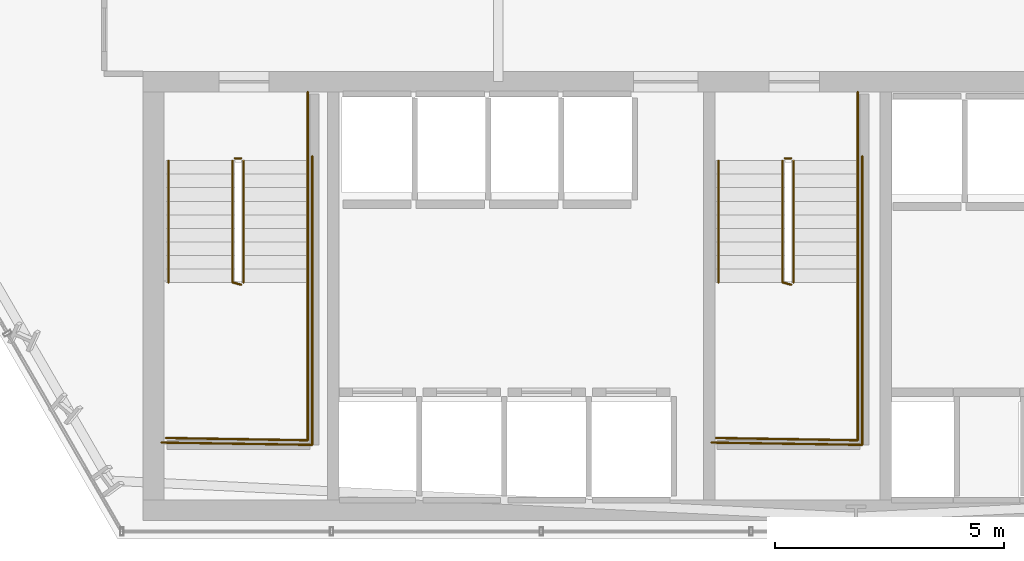
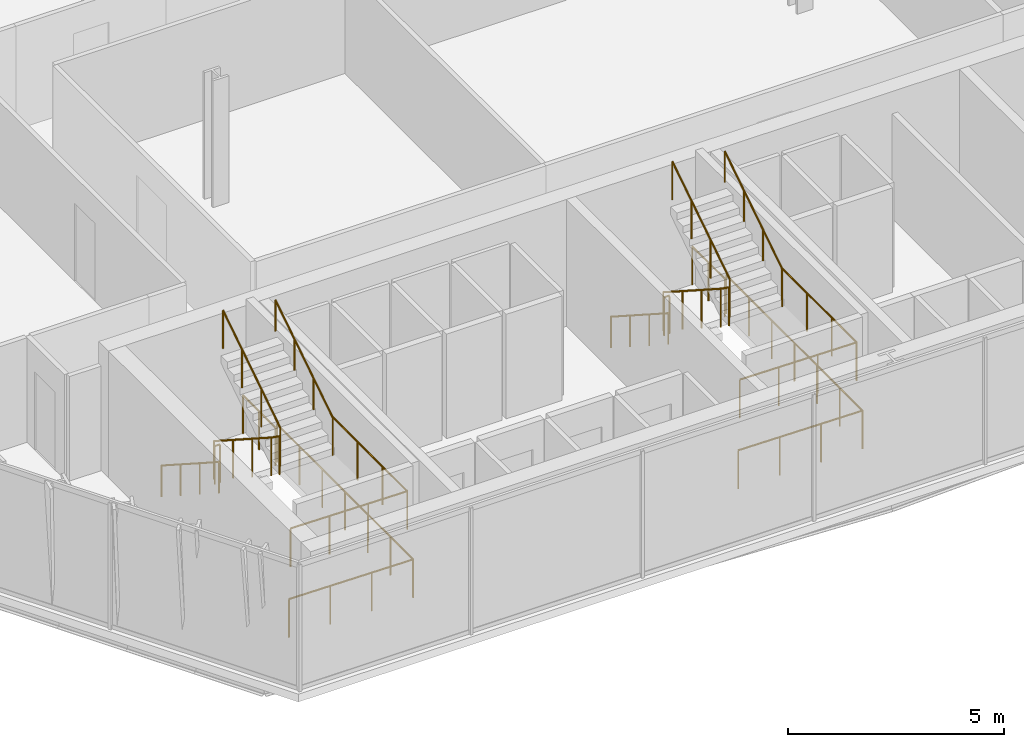
# One storey, part 30 of 32: 16 railings.
"""IFC4 building model written with IfcOpenShell, lengths in metres."""

from ifc_helpers import new_model, si_unit, direction, frame, origin, origin_2d, place, context, subcontext, project, spatial, circle, extrude, material, layer, layer_set, type_object, element, save


model = new_model("IFC4")

# Units and contexts
model_context = context("Model", 3, precision=1e-05, world=origin(), true_north=direction((0.0, 1.0)))
body_context = subcontext(model_context, "Body", "Model", "MODEL_VIEW")
ifc_project = project(units=[si_unit("LENGTHUNIT", "METRE"), si_unit("AREAUNIT", "SQUARE_METRE"), si_unit("VOLUMEUNIT", "CUBIC_METRE"), si_unit("PLANEANGLEUNIT", "RADIAN"), si_unit("MASSUNIT", "GRAM", prefix="KILO")], contexts=[model_context])

# Site, building, storey
site_placement = place(None, origin())
site = spatial("IfcSite", under=ifc_project, at=site_placement, CompositionType="ELEMENT")
building_placement = place(site_placement, origin())
building = spatial("IfcBuilding", under=site, at=building_placement, Name="Ndaravel Arena Tower", CompositionType="ELEMENT")
storey_placement = place(building_placement, frame((0.0, 0.0, 77.800048828125)))
storey = spatial("IfcBuildingStorey", under=building, at=storey_placement, Name="L17", CompositionType="ELEMENT", Elevation=77.800048828125)

# Railings
ifc_material_1 = material(Name="Steel S355", Category="steel")
ifc_layer_1 = layer(ifc_material_1, 0.06005859375)
ifc_layer_set_1 = layer_set([ifc_layer_1], Name="Steel S355")
railing_type_1 = type_object("IfcRailingType", Name="RAIL-STAIR-GD1100", PredefinedType="GUARDRAIL", material=ifc_layer_set_1)
railing_1_placement = place(storey_placement, frame((28.39990234375, 13.25, 0.18994140625)))
element("IfcRailing", 1, at=railing_1_placement, inside=storey, type_object=railing_type_1, Name="L17 ST-1 stair guard 1", PredefinedType="GUARDRAIL", context=body_context, shape_type="SweptSolid", body=[
    extrude(circle(Radius=0.02392578125, at=origin_2d()), frame((0.0, 0.0, 1.076171875), z_axis=(0.0, -0.840723540582, 0.54146461409), x_axis=(1.0, 0.0, 0.0)), (0.0, 0.0, 1.0), 3.157958984375),
    extrude(circle(Radius=0.02392578125, at=origin_2d()), frame((0.0, -2.655029296875, 2.7861328125), z_axis=(0.967074537263, -0.25449329928, 0.0), x_axis=(0.25449329928, 0.967074537263, 0.0)), (0.0, 0.0, 1.0), 0.19677734375),
    extrude(circle(Radius=0.02099609375, at=origin_2d()), origin(), (0.0, 0.0, 1.0), 1.052001953125),
    extrude(circle(Radius=0.02099609375, at=origin_2d()), frame((0.0, -0.885009765625, 0.570068359375)), (0.0, 0.0, 1.0), 1.052001953125),
    extrude(circle(Radius=0.02099609375, at=origin_2d()), frame((0.0, -1.77001953125, 1.139892578125)), (0.0, 0.0, 1.0), 1.052001953125),
    extrude(circle(Radius=0.02099609375, at=origin_2d()), frame((0.0, -2.655029296875, 1.7099609375)), (0.0, 0.0, 1.0), 1.052001953125),
    extrude(circle(Radius=0.02099609375, at=origin_2d()), frame((0.190185546875, -2.705078125, 1.7099609375)), (0.0, 0.0, 1.0), 1.052001953125),
])
railing_2_placement = place(storey_placement, frame((30.0400390625, 10.594970703125, 1.89990234375)))
element("IfcRailing", 2, at=railing_2_placement, inside=storey, type_object=railing_type_1, Name="L17 ST-1 stair guard 2", PredefinedType="GUARDRAIL", context=body_context, shape_type="SweptSolid", body=[
    extrude(circle(Radius=0.02392578125, at=origin_2d()), frame((0.0, 0.0, 1.076171875), z_axis=(0.0, -1.0, 0.0), x_axis=(1.0, 0.0, 0.0)), (0.0, 0.0, 1.0), 3.445068359375),
    extrude(circle(Radius=0.02392578125, at=origin_2d()), frame((0.0, -3.445068359375, 1.076171875), z_axis=(-0.999868861343, 0.016194447071, 0.0), x_axis=(-0.016194447071, -0.999868861343, 0.0)), (0.0, 0.0, 1.0), 3.090576171875),
    extrude(circle(Radius=0.02099609375, at=origin_2d()), origin(), (0.0, 0.0, 1.0), 1.052001953125),
    extrude(circle(Radius=0.02099609375, at=origin_2d()), frame((0.0, -1.1484375, 0.0)), (0.0, 0.0, 1.0), 1.052001953125),
    extrude(circle(Radius=0.02099609375, at=origin_2d()), frame((0.0, -2.296630859375, 0.0)), (0.0, 0.0, 1.0), 1.052001953125),
    extrude(circle(Radius=0.02099609375, at=origin_2d()), frame((0.0, -3.445068359375, 0.0)), (0.0, 0.0, 1.0), 1.052001953125),
    extrude(circle(Radius=0.02099609375, at=origin_2d()), frame((-1.030029296875, -3.428466796875, 0.0)), (0.0, 0.0, 1.0), 1.052001953125),
    extrude(circle(Radius=0.02099609375, at=origin_2d()), frame((-2.06005859375, -3.41162109375, 0.0)), (0.0, 0.0, 1.0), 1.052001953125),
    extrude(circle(Radius=0.02099609375, at=origin_2d()), frame((-3.090087890625, -3.39501953125, 0.0)), (0.0, 0.0, 1.0), 1.052001953125),
])
railing_3_placement = place(storey_placement, frame((28.639892578125, 10.594970703125, 2.08984375)))
element("IfcRailing", 3, at=railing_3_placement, inside=storey, type_object=railing_type_1, Name="L17 ST-1 stair guard 3", PredefinedType="GUARDRAIL", context=body_context, shape_type="SweptSolid", body=[
    extrude(circle(Radius=0.02392578125, at=origin_2d()), frame((0.0, 0.0, 1.076171875), z_axis=(0.0, 0.840688348013, 0.541519253134), x_axis=(-1.0, 0.0, 0.0)), (0.0, 0.0, 1.0), 3.158203125),
    extrude(circle(Radius=0.02099609375, at=origin_2d()), origin(), (0.0, 0.0, 1.0), 1.052001953125),
    extrude(circle(Radius=0.02099609375, at=origin_2d()), frame((0.0, 0.885009765625, 0.570068359375)), (0.0, 0.0, 1.0), 1.052001953125),
    extrude(circle(Radius=0.02099609375, at=origin_2d()), frame((0.0, 1.77001953125, 1.14013671875)), (0.0, 0.0, 1.0), 1.052001953125),
    extrude(circle(Radius=0.02099609375, at=origin_2d()), frame((0.0, 2.655029296875, 1.710205078125)), (0.0, 0.0, 1.0), 1.052001953125),
])
railing_4_placement = place(storey_placement, frame((28.449951171875, 13.300048828125, 0.0)))
element("IfcRailing", 4, at=railing_4_placement, inside=storey, type_object=railing_type_1, Name="L17 ST-1 stair guard 4", PredefinedType="GUARDRAIL", context=body_context, shape_type="SweptSolid", body=[
    extrude(circle(Radius=0.02392578125, at=origin_2d()), frame((0.0, 0.0, 1.076171875), z_axis=(1.0, 0.0, 0.0), x_axis=(0.0, 1.0, 0.0)), (0.0, 0.0, 1.0), 0.14013671875),
    extrude(circle(Radius=0.02099609375, at=origin_2d()), origin(), (0.0, 0.0, 1.0), 1.052001953125),
    extrude(circle(Radius=0.02099609375, at=origin_2d()), frame((0.14013671875, 0.0, 0.0)), (0.0, 0.0, 1.0), 1.052001953125),
])
railing_5_placement = place(storey_placement, frame((30.0400390625, 14.75, 0.0)))
element("IfcRailing", 5, at=railing_5_placement, inside=storey, type_object=railing_type_1, Name="L17 ST-1 stair guard 5", PredefinedType="GUARDRAIL", context=body_context, shape_type="SweptSolid", body=[
    extrude(circle(Radius=0.02392578125, at=origin_2d()), frame((0.0, 0.0, 1.076171875), z_axis=(0.0, -1.0, 0.0), x_axis=(1.0, 0.0, 0.0)), (0.0, 0.0, 1.0), 1.5),
    extrude(circle(Radius=0.02099609375, at=origin_2d()), origin(), (0.0, 0.0, 1.0), 1.052001953125),
    extrude(circle(Radius=0.02099609375, at=origin_2d()), frame((0.0, -0.75, 0.0)), (0.0, 0.0, 1.0), 1.052001953125),
    extrude(circle(Radius=0.02099609375, at=origin_2d()), frame((0.0, -1.5, 0.0)), (0.0, 0.0, 1.0), 1.052001953125),
])
railing_6_placement = place(storey_placement, frame((30.139892578125, 13.35009765625, 0.0)))
element("IfcRailing", 6, at=railing_6_placement, inside=storey, type_object=railing_type_1, Name="L17 ST-1 stair guard 6", PredefinedType="GUARDRAIL", context=body_context, shape_type="SweptSolid", body=[
    extrude(circle(Radius=0.02392578125, at=origin_2d()), frame((0.0, 0.0, 1.076171875), z_axis=(0.0, -1.0, 0.0), x_axis=(1.0, 0.0, 0.0)), (0.0, 0.0, 1.0), 6.300048828125),
    extrude(circle(Radius=0.02392578125, at=origin_2d()), frame((0.0, -6.300048828125, 1.076171875), z_axis=(-0.999884296952, 0.015211597839, 0.0), x_axis=(-0.015211597839, -0.999884296952, 0.0)), (0.0, 0.0, 1.0), 3.290283203125),
    extrude(circle(Radius=0.02099609375, at=origin_2d()), origin(), (0.0, 0.0, 1.0), 1.052001953125),
    extrude(circle(Radius=0.02099609375, at=origin_2d()), frame((0.0, -1.050048828125, 0.0)), (0.0, 0.0, 1.0), 1.052001953125),
    extrude(circle(Radius=0.02099609375, at=origin_2d()), frame((0.0, -2.10009765625, 0.0)), (0.0, 0.0, 1.0), 1.052001953125),
    extrude(circle(Radius=0.02099609375, at=origin_2d()), frame((0.0, -3.14990234375, 0.0)), (0.0, 0.0, 1.0), 1.052001953125),
    extrude(circle(Radius=0.02099609375, at=origin_2d()), frame((0.0, -4.199951171875, 0.0)), (0.0, 0.0, 1.0), 1.052001953125),
    extrude(circle(Radius=0.02099609375, at=origin_2d()), frame((0.0, -5.25, 0.0)), (0.0, 0.0, 1.0), 1.052001953125),
    extrude(circle(Radius=0.02099609375, at=origin_2d()), frame((0.0, -6.300048828125, 0.0)), (0.0, 0.0, 1.0), 1.052001953125),
    extrude(circle(Radius=0.02099609375, at=origin_2d()), frame((-1.0966796875, -6.283447265625, 0.0)), (0.0, 0.0, 1.0), 1.052001953125),
    extrude(circle(Radius=0.02099609375, at=origin_2d()), frame((-2.193115234375, -6.2666015625, 0.0)), (0.0, 0.0, 1.0), 1.052001953125),
    extrude(circle(Radius=0.02099609375, at=origin_2d()), frame((-3.289794921875, -6.25, 0.0)), (0.0, 0.0, 1.0), 1.052001953125),
])
railing_7_placement = place(storey_placement, frame((40.39990234375, 13.25, 0.18994140625)))
element("IfcRailing", 7, at=railing_7_placement, inside=storey, type_object=railing_type_1, Name="L17 ST-2 stair guard 1", PredefinedType="GUARDRAIL", context=body_context, shape_type="SweptSolid", body=[
    extrude(circle(Radius=0.02392578125, at=origin_2d()), frame((0.0, 0.0, 1.076171875), z_axis=(0.0, -0.840723540582, 0.54146461409), x_axis=(1.0, 0.0, 0.0)), (0.0, 0.0, 1.0), 3.157958984375),
    extrude(circle(Radius=0.02392578125, at=origin_2d()), frame((0.0, -2.655029296875, 2.7861328125), z_axis=(0.967074537263, -0.25449329928, 0.0), x_axis=(0.25449329928, 0.967074537263, 0.0)), (0.0, 0.0, 1.0), 0.19677734375),
    extrude(circle(Radius=0.02099609375, at=origin_2d()), origin(), (0.0, 0.0, 1.0), 1.052001953125),
    extrude(circle(Radius=0.02099609375, at=origin_2d()), frame((0.0, -0.885009765625, 0.570068359375)), (0.0, 0.0, 1.0), 1.052001953125),
    extrude(circle(Radius=0.02099609375, at=origin_2d()), frame((0.0, -1.77001953125, 1.139892578125)), (0.0, 0.0, 1.0), 1.052001953125),
    extrude(circle(Radius=0.02099609375, at=origin_2d()), frame((0.0, -2.655029296875, 1.7099609375)), (0.0, 0.0, 1.0), 1.052001953125),
    extrude(circle(Radius=0.02099609375, at=origin_2d()), frame((0.190185546875, -2.705078125, 1.7099609375)), (0.0, 0.0, 1.0), 1.052001953125),
])
railing_8_placement = place(storey_placement, frame((42.0400390625, 10.594970703125, 1.89990234375)))
element("IfcRailing", 8, at=railing_8_placement, inside=storey, type_object=railing_type_1, Name="L17 ST-2 stair guard 2", PredefinedType="GUARDRAIL", context=body_context, shape_type="SweptSolid", body=[
    extrude(circle(Radius=0.02392578125, at=origin_2d()), frame((0.0, 0.0, 1.076171875), z_axis=(0.0, -1.0, 0.0), x_axis=(1.0, 0.0, 0.0)), (0.0, 0.0, 1.0), 3.445068359375),
    extrude(circle(Radius=0.02392578125, at=origin_2d()), frame((0.0, -3.445068359375, 1.076171875), z_axis=(-0.999868861343, 0.016194447071, 0.0), x_axis=(-0.016194447071, -0.999868861343, 0.0)), (0.0, 0.0, 1.0), 3.090576171875),
    extrude(circle(Radius=0.02099609375, at=origin_2d()), origin(), (0.0, 0.0, 1.0), 1.052001953125),
    extrude(circle(Radius=0.02099609375, at=origin_2d()), frame((0.0, -1.1484375, 0.0)), (0.0, 0.0, 1.0), 1.052001953125),
    extrude(circle(Radius=0.02099609375, at=origin_2d()), frame((0.0, -2.296630859375, 0.0)), (0.0, 0.0, 1.0), 1.052001953125),
    extrude(circle(Radius=0.02099609375, at=origin_2d()), frame((0.0, -3.445068359375, 0.0)), (0.0, 0.0, 1.0), 1.052001953125),
    extrude(circle(Radius=0.02099609375, at=origin_2d()), frame((-1.030029296875, -3.428466796875, 0.0)), (0.0, 0.0, 1.0), 1.052001953125),
    extrude(circle(Radius=0.02099609375, at=origin_2d()), frame((-2.06005859375, -3.41162109375, 0.0)), (0.0, 0.0, 1.0), 1.052001953125),
    extrude(circle(Radius=0.02099609375, at=origin_2d()), frame((-3.090087890625, -3.39501953125, 0.0)), (0.0, 0.0, 1.0), 1.052001953125),
])
railing_9_placement = place(storey_placement, frame((40.639892578125, 10.594970703125, 2.08984375)))
element("IfcRailing", 9, at=railing_9_placement, inside=storey, type_object=railing_type_1, Name="L17 ST-2 stair guard 3", PredefinedType="GUARDRAIL", context=body_context, shape_type="SweptSolid", body=[
    extrude(circle(Radius=0.02392578125, at=origin_2d()), frame((0.0, 0.0, 1.076171875), z_axis=(0.0, 0.840688348013, 0.541519253134), x_axis=(-1.0, 0.0, 0.0)), (0.0, 0.0, 1.0), 3.158203125),
    extrude(circle(Radius=0.02099609375, at=origin_2d()), origin(), (0.0, 0.0, 1.0), 1.052001953125),
    extrude(circle(Radius=0.02099609375, at=origin_2d()), frame((0.0, 0.885009765625, 0.570068359375)), (0.0, 0.0, 1.0), 1.052001953125),
    extrude(circle(Radius=0.02099609375, at=origin_2d()), frame((0.0, 1.77001953125, 1.14013671875)), (0.0, 0.0, 1.0), 1.052001953125),
    extrude(circle(Radius=0.02099609375, at=origin_2d()), frame((0.0, 2.655029296875, 1.710205078125)), (0.0, 0.0, 1.0), 1.052001953125),
])
railing_10_placement = place(storey_placement, frame((40.449951171875, 13.300048828125, 0.0)))
element("IfcRailing", 10, at=railing_10_placement, inside=storey, type_object=railing_type_1, Name="L17 ST-2 stair guard 4", PredefinedType="GUARDRAIL", context=body_context, shape_type="SweptSolid", body=[
    extrude(circle(Radius=0.02392578125, at=origin_2d()), frame((0.0, 0.0, 1.076171875), z_axis=(1.0, 0.0, 0.0), x_axis=(0.0, 1.0, 0.0)), (0.0, 0.0, 1.0), 0.14013671875),
    extrude(circle(Radius=0.02099609375, at=origin_2d()), origin(), (0.0, 0.0, 1.0), 1.052001953125),
    extrude(circle(Radius=0.02099609375, at=origin_2d()), frame((0.14013671875, 0.0, 0.0)), (0.0, 0.0, 1.0), 1.052001953125),
])
railing_11_placement = place(storey_placement, frame((42.0400390625, 14.75, 0.0)))
element("IfcRailing", 11, at=railing_11_placement, inside=storey, type_object=railing_type_1, Name="L17 ST-2 stair guard 5", PredefinedType="GUARDRAIL", context=body_context, shape_type="SweptSolid", body=[
    extrude(circle(Radius=0.02392578125, at=origin_2d()), frame((0.0, 0.0, 1.076171875), z_axis=(0.0, -1.0, 0.0), x_axis=(1.0, 0.0, 0.0)), (0.0, 0.0, 1.0), 1.5),
    extrude(circle(Radius=0.02099609375, at=origin_2d()), origin(), (0.0, 0.0, 1.0), 1.052001953125),
    extrude(circle(Radius=0.02099609375, at=origin_2d()), frame((0.0, -0.75, 0.0)), (0.0, 0.0, 1.0), 1.052001953125),
    extrude(circle(Radius=0.02099609375, at=origin_2d()), frame((0.0, -1.5, 0.0)), (0.0, 0.0, 1.0), 1.052001953125),
])
railing_12_placement = place(storey_placement, frame((42.139892578125, 13.35009765625, 0.0)))
element("IfcRailing", 12, at=railing_12_placement, inside=storey, type_object=railing_type_1, Name="L17 ST-2 stair guard 6", PredefinedType="GUARDRAIL", context=body_context, shape_type="SweptSolid", body=[
    extrude(circle(Radius=0.02392578125, at=origin_2d()), frame((0.0, 0.0, 1.076171875), z_axis=(0.0, -1.0, 0.0), x_axis=(1.0, 0.0, 0.0)), (0.0, 0.0, 1.0), 6.300048828125),
    extrude(circle(Radius=0.02392578125, at=origin_2d()), frame((0.0, -6.300048828125, 1.076171875), z_axis=(-0.999884296952, 0.015211597839, 0.0), x_axis=(-0.015211597839, -0.999884296952, 0.0)), (0.0, 0.0, 1.0), 3.290283203125),
    extrude(circle(Radius=0.02099609375, at=origin_2d()), origin(), (0.0, 0.0, 1.0), 1.052001953125),
    extrude(circle(Radius=0.02099609375, at=origin_2d()), frame((0.0, -1.050048828125, 0.0)), (0.0, 0.0, 1.0), 1.052001953125),
    extrude(circle(Radius=0.02099609375, at=origin_2d()), frame((0.0, -2.10009765625, 0.0)), (0.0, 0.0, 1.0), 1.052001953125),
    extrude(circle(Radius=0.02099609375, at=origin_2d()), frame((0.0, -3.14990234375, 0.0)), (0.0, 0.0, 1.0), 1.052001953125),
    extrude(circle(Radius=0.02099609375, at=origin_2d()), frame((0.0, -4.199951171875, 0.0)), (0.0, 0.0, 1.0), 1.052001953125),
    extrude(circle(Radius=0.02099609375, at=origin_2d()), frame((0.0, -5.25, 0.0)), (0.0, 0.0, 1.0), 1.052001953125),
    extrude(circle(Radius=0.02099609375, at=origin_2d()), frame((0.0, -6.300048828125, 0.0)), (0.0, 0.0, 1.0), 1.052001953125),
    extrude(circle(Radius=0.02099609375, at=origin_2d()), frame((-1.0966796875, -6.283447265625, 0.0)), (0.0, 0.0, 1.0), 1.052001953125),
    extrude(circle(Radius=0.02099609375, at=origin_2d()), frame((-2.193115234375, -6.2666015625, 0.0)), (0.0, 0.0, 1.0), 1.052001953125),
    extrude(circle(Radius=0.02099609375, at=origin_2d()), frame((-3.289794921875, -6.25, 0.0)), (0.0, 0.0, 1.0), 1.052001953125),
])
ifc_material_2 = material(Name="Steel S355", Category="steel")
ifc_layer_2 = layer(ifc_material_2, 0.050048828125)
ifc_layer_set_2 = layer_set([ifc_layer_2], Name="Steel S355")
railing_type_2 = type_object("IfcRailingType", Name="RAIL-STAIR-HR920", PredefinedType="HANDRAIL", material=ifc_layer_set_2)
railing_13_placement = place(storey_placement, frame((27.0, 13.25, 0.18994140625)))
element("IfcRailing", 13, at=railing_13_placement, inside=storey, type_object=railing_type_2, Name="L17 ST-1 stair handrail 1", PredefinedType="HANDRAIL", context=body_context, shape_type="SweptSolid", body=[
    extrude(circle(Radius=0.02392578125, at=origin_2d()), frame((0.0, 0.0, 0.8759765625), z_axis=(0.0, -0.840723540582, 0.54146461409), x_axis=(1.0, 0.0, 0.0)), (0.0, 0.0, 1.0), 3.157958984375),
    extrude(circle(Radius=0.02099609375, at=origin_2d()), origin(), (0.0, 0.0, 1.0), 0.851806640625),
    extrude(circle(Radius=0.02099609375, at=origin_2d()), frame((0.0, -0.885009765625, 0.570068359375)), (0.0, 0.0, 1.0), 0.851806640625),
    extrude(circle(Radius=0.02099609375, at=origin_2d()), frame((0.0, -1.77001953125, 1.139892578125)), (0.0, 0.0, 1.0), 0.851806640625),
    extrude(circle(Radius=0.02099609375, at=origin_2d()), frame((0.0, -2.655029296875, 1.7099609375)), (0.0, 0.0, 1.0), 0.851806640625),
])
railing_14_placement = place(storey_placement, frame((30.0400390625, 10.594970703125, 2.08984375)))
element("IfcRailing", 14, at=railing_14_placement, inside=storey, type_object=railing_type_2, Name="L17 ST-1 stair handrail 2", PredefinedType="HANDRAIL", context=body_context, shape_type="SweptSolid", body=[
    extrude(circle(Radius=0.02392578125, at=origin_2d()), frame((0.0, 0.0, 0.8759765625), z_axis=(0.0, 0.840688348013, 0.541519253134), x_axis=(-1.0, 0.0, 0.0)), (0.0, 0.0, 1.0), 3.158203125),
    extrude(circle(Radius=0.02099609375, at=origin_2d()), origin(), (0.0, 0.0, 1.0), 0.851806640625),
    extrude(circle(Radius=0.02099609375, at=origin_2d()), frame((0.0, 0.885009765625, 0.570068359375)), (0.0, 0.0, 1.0), 0.851806640625),
    extrude(circle(Radius=0.02099609375, at=origin_2d()), frame((0.0, 1.77001953125, 1.14013671875)), (0.0, 0.0, 1.0), 0.851806640625),
    extrude(circle(Radius=0.02099609375, at=origin_2d()), frame((0.0, 2.655029296875, 1.710205078125)), (0.0, 0.0, 1.0), 0.851806640625),
])
railing_15_placement = place(storey_placement, frame((39.0, 13.25, 0.18994140625)))
element("IfcRailing", 15, at=railing_15_placement, inside=storey, type_object=railing_type_2, Name="L17 ST-2 stair handrail 1", PredefinedType="HANDRAIL", context=body_context, shape_type="SweptSolid", body=[
    extrude(circle(Radius=0.02392578125, at=origin_2d()), frame((0.0, 0.0, 0.8759765625), z_axis=(0.0, -0.840723540582, 0.54146461409), x_axis=(1.0, 0.0, 0.0)), (0.0, 0.0, 1.0), 3.157958984375),
    extrude(circle(Radius=0.02099609375, at=origin_2d()), origin(), (0.0, 0.0, 1.0), 0.851806640625),
    extrude(circle(Radius=0.02099609375, at=origin_2d()), frame((0.0, -0.885009765625, 0.570068359375)), (0.0, 0.0, 1.0), 0.851806640625),
    extrude(circle(Radius=0.02099609375, at=origin_2d()), frame((0.0, -1.77001953125, 1.139892578125)), (0.0, 0.0, 1.0), 0.851806640625),
    extrude(circle(Radius=0.02099609375, at=origin_2d()), frame((0.0, -2.655029296875, 1.7099609375)), (0.0, 0.0, 1.0), 0.851806640625),
])
railing_16_placement = place(storey_placement, frame((42.0400390625, 10.594970703125, 2.08984375)))
element("IfcRailing", 16, at=railing_16_placement, inside=storey, type_object=railing_type_2, Name="L17 ST-2 stair handrail 2", PredefinedType="HANDRAIL", context=body_context, shape_type="SweptSolid", body=[
    extrude(circle(Radius=0.02392578125, at=origin_2d()), frame((0.0, 0.0, 0.8759765625), z_axis=(0.0, 0.840688348013, 0.541519253134), x_axis=(-1.0, 0.0, 0.0)), (0.0, 0.0, 1.0), 3.158203125),
    extrude(circle(Radius=0.02099609375, at=origin_2d()), origin(), (0.0, 0.0, 1.0), 0.851806640625),
    extrude(circle(Radius=0.02099609375, at=origin_2d()), frame((0.0, 0.885009765625, 0.570068359375)), (0.0, 0.0, 1.0), 0.851806640625),
    extrude(circle(Radius=0.02099609375, at=origin_2d()), frame((0.0, 1.77001953125, 1.14013671875)), (0.0, 0.0, 1.0), 0.851806640625),
    extrude(circle(Radius=0.02099609375, at=origin_2d()), frame((0.0, 2.655029296875, 1.710205078125)), (0.0, 0.0, 1.0), 0.851806640625),
])

save(model, "model.ifc")
